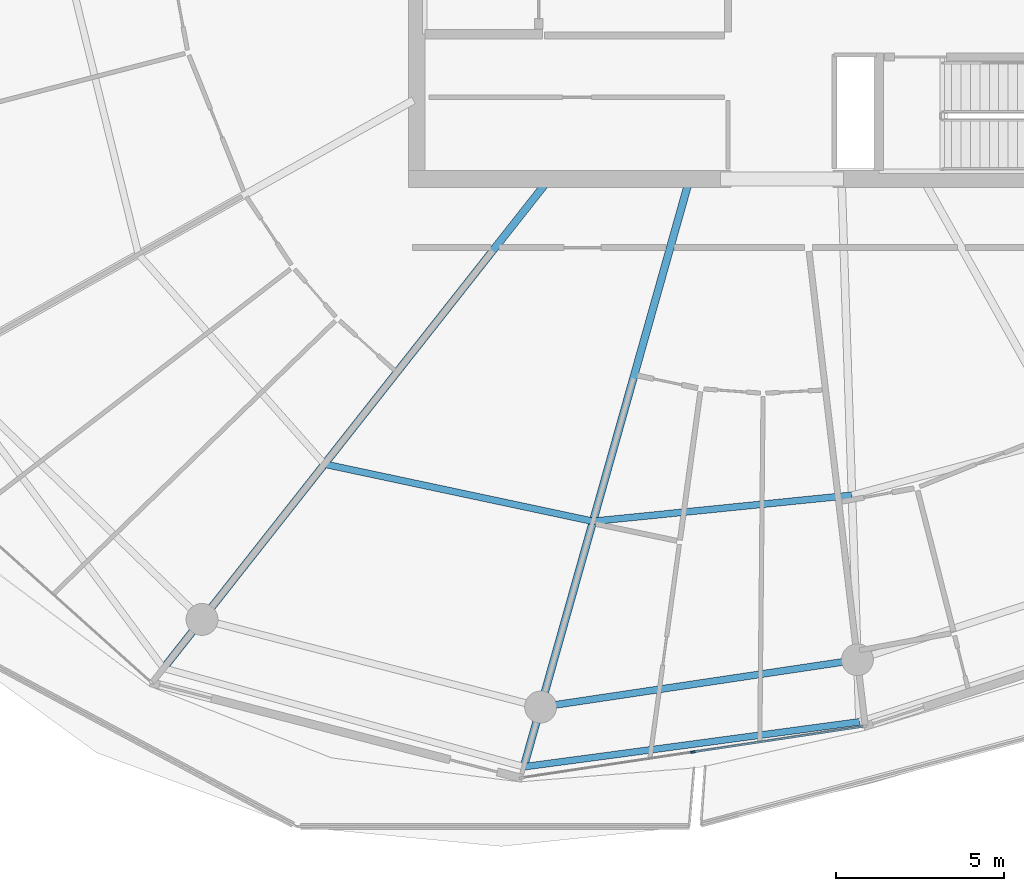
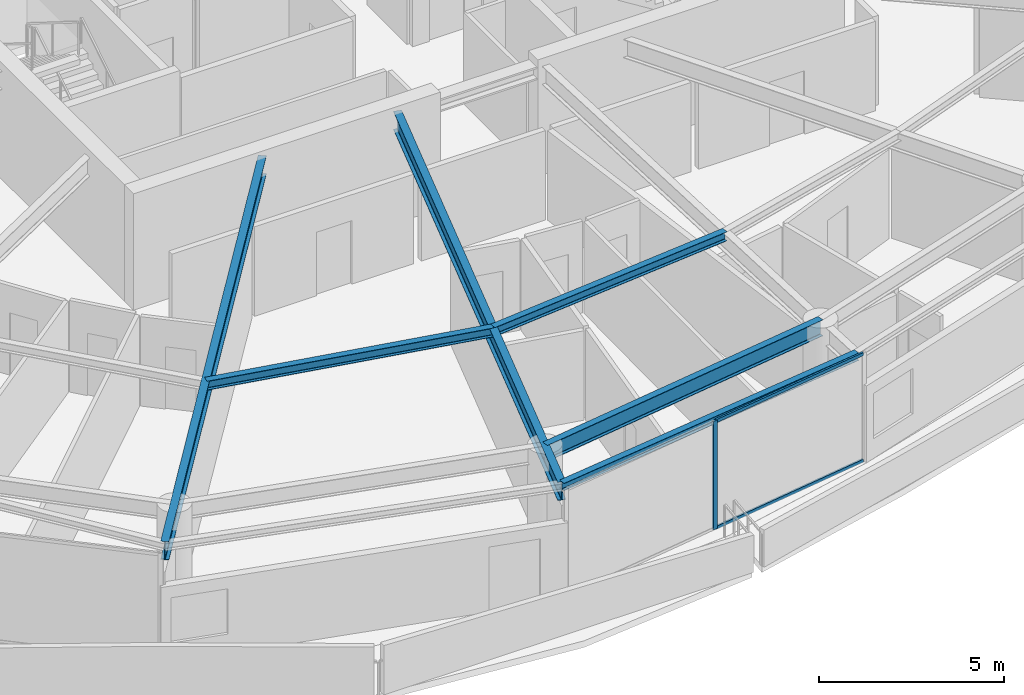
# One storey, part 7 of 30: 6 beams, 3 members, 1 element without a shape of its own.
"""IFC4 building model written with IfcOpenShell, lengths in metres."""

import ifcopenshell
import ifcopenshell.guid

model = None  # the IFC model being written
_history = None  # IfcOwnerHistory: only IFC2X3 demands one
_inside = {}  # id of a spatial element -> (the spatial element, [elements in it])
_under = {}  # id of a project, library or spatial element -> (it, [spatial elements below it])
_declared = {}  # id of a project -> (the project, [libraries it declares])
_typed = {}  # id of a type object -> (the type object, [elements of that type])
_made_of = {}  # id of a material, layer set ... -> (it, [elements and type objects made of it])


def new_model(schema):
    """Start an empty IFC model of exactly this schema.

    Asked for "IFC4X3", IfcOpenShell would pick the latest addendum, in which some entities
    have other attributes; the version numbers below select the first issue.
    IFC2X3 requires an IfcOwnerHistory on every rooted entity: one is made here for all.
    """
    global model, _history
    if schema == "IFC4X3":
        model = ifcopenshell.file(schema_version=(4, 3, 0, 0))
    else:
        model = ifcopenshell.file(schema=schema)
    _inside.clear()
    _under.clear()
    _declared.clear()
    _typed.clear()
    _made_of.clear()
    _history = None
    if model.schema == "IFC2X3":
        org = make("IfcOrganization", Name="unknown")
        user = make(
            "IfcPersonAndOrganization",
            ThePerson=make("IfcPerson", FamilyName="unknown"),
            TheOrganization=org,
        )
        app = make(
            "IfcApplication",
            ApplicationDeveloper=org,
            Version="unknown",
            ApplicationFullName="unknown",
            ApplicationIdentifier="unknown",
        )
        _history = make(
            "IfcOwnerHistory",
            OwningUser=user,
            OwningApplication=app,
            ChangeAction="ADDED",
            CreationDate=0,
        )
    return model


def make(cls, **values):
    """One entity of the class cls with the attributes given. An attribute that is None is left unset."""
    return model.create_entity(
        cls, **{name: value for name, value in values.items() if value is not None}
    )


def rooted(cls, **values):
    """An entity with a GlobalId (a new one), such as an element, a storey or a relation."""
    return make(cls, GlobalId=ifcopenshell.guid.new(), OwnerHistory=_history, **values)


def si_unit(unit_type, name, prefix=None):
    """IfcSIUnit, for example si_unit("LENGTHUNIT", "METRE", prefix="MILLI")."""
    return make("IfcSIUnit", UnitType=unit_type, Prefix=prefix, Name=name)


def assignment(units):
    """IfcUnitAssignment: the units of a project."""
    return None if units is None else make("IfcUnitAssignment", Units=units)


def point(xyz):
    """IfcCartesianPoint."""
    return None if xyz is None else make("IfcCartesianPoint", Coordinates=xyz)


def direction(xyz):
    """IfcDirection."""
    return None if xyz is None else make("IfcDirection", DirectionRatios=xyz)


def frame(location, z_axis=None, x_axis=None):
    """IfcAxis2Placement3D, a coordinate frame: its origin and axes. An axis left out is left unset."""
    return make(
        "IfcAxis2Placement3D",
        Location=point(location),
        Axis=direction(z_axis),
        RefDirection=direction(x_axis),
    )


def frame_2d(location, x_axis=None):
    """IfcAxis2Placement2D, a coordinate frame in the plane: its origin and x axis."""
    return make(
        "IfcAxis2Placement2D", Location=point(location), RefDirection=direction(x_axis)
    )


def origin():
    """The frame at (0, 0, 0) with its axes left unset."""
    return frame((0.0, 0.0, 0.0))


def origin_2d():
    """The frame at (0, 0) in the plane with its x axis left unset."""
    return frame_2d((0.0, 0.0))


def place(relative_to, where):
    """IfcLocalPlacement: puts the frame where relative to a parent placement (None: the world)."""
    return make(
        "IfcLocalPlacement", PlacementRelTo=relative_to, RelativePlacement=where
    )


def context(
    kind, dimensions, precision=None, world=None, true_north=None, identifier=None
):
    """IfcGeometricRepresentationContext, for example the 3D "Model" context."""
    return make(
        "IfcGeometricRepresentationContext",
        ContextIdentifier=identifier,
        ContextType=kind,
        CoordinateSpaceDimension=dimensions,
        Precision=precision,
        WorldCoordinateSystem=world,
        TrueNorth=true_north,
    )


def subcontext(parent, identifier, kind, view, scale=None):
    """IfcGeometricRepresentationSubContext, for example "Body" below "Model"."""
    return make(
        "IfcGeometricRepresentationSubContext",
        ContextIdentifier=identifier,
        ContextType=kind,
        ParentContext=parent,
        TargetScale=scale,
        TargetView=view,
    )


def project(units=None, contexts=None):
    """IfcProject with its units and contexts."""
    return rooted(
        "IfcProject",
        Name="project",
        RepresentationContexts=contexts,
        UnitsInContext=assignment(units),
    )


def spatial(cls, under=None, at=None, **own):
    """A site, building, storey or space (cls), placed at a placement, below another one or the project."""
    s = rooted(cls, ObjectPlacement=at, **own)
    if under is not None:
        _under.setdefault(under.id(), (under, []))[1].append(s)
    return s


def profile(cls, at=None, kind="AREA", **sizes):
    """A parametric profile (cls). Its sizes go by their IFC names, for example OverallWidth=200.0."""
    return make(cls, ProfileType=kind, Position=at, **sizes)


def rectangle(**sizes):
    """IfcRectangleProfileDef."""
    return profile("IfcRectangleProfileDef", **sizes)


def i_section(**sizes):
    """IfcIShapeProfileDef."""
    return profile("IfcIShapeProfileDef", **sizes)


def extrude(swept, where, along, depth):
    """IfcExtrudedAreaSolid: the profile swept, set in the frame where, extruded along a direction by depth."""
    return make(
        "IfcExtrudedAreaSolid",
        SweptArea=swept,
        Position=where,
        ExtrudedDirection=direction(along),
        Depth=depth,
    )


def shape(context_of_items, identifier, shape_type, items):
    """IfcShapeRepresentation: the items that make up one representation, for example the "Body"."""
    return make(
        "IfcShapeRepresentation",
        ContextOfItems=context_of_items,
        RepresentationIdentifier=identifier,
        RepresentationType=shape_type,
        Items=items,
    )


def material(Name=None, Category=None):
    """IfcMaterial."""
    return make("IfcMaterial", Name=Name, Category=Category)


def layer(
    of_material, thickness, ventilated=None, Name=None, Category=None, Priority=None
):
    """IfcMaterialLayer: one layer of a wall or slab, of a material (None: an air gap)."""
    return make(
        "IfcMaterialLayer",
        Material=of_material,
        LayerThickness=thickness,
        IsVentilated=ventilated,
        Name=Name,
        Category=Category,
        Priority=Priority,
    )


def layer_set(layers, Name=None):
    """IfcMaterialLayerSet."""
    return make("IfcMaterialLayerSet", MaterialLayers=layers, LayerSetName=Name)


def material_profile(
    of_material, cross_section, Name=None, Category=None, Priority=None
):
    """IfcMaterialProfile: a cross section and its material."""
    return make(
        "IfcMaterialProfile",
        Name=Name,
        Material=of_material,
        Profile=cross_section,
        Priority=Priority,
        Category=Category,
    )


def profile_set(profiles, Name=None, composite=None):
    """IfcMaterialProfileSet."""
    return make(
        "IfcMaterialProfileSet",
        Name=Name,
        MaterialProfiles=profiles,
        CompositeProfile=composite,
    )


def made_of(thing, what):
    """Note that an element or type object is made of a material, layer set ...; save() writes the relation."""
    if what is not None:
        _made_of.setdefault(what.id(), (what, []))[1].append(thing)
    return thing


def type_object(cls, material=None, **own):
    """A type object (cls), such as IfcWallType, which elements share."""
    return made_of(rooted(cls, **own), material)


def element(
    cls,
    number,
    at=None,
    inside=None,
    cuts=None,
    type_object=None,
    material=None,
    context=None,
    identifier="Body",
    shape_type=None,
    held_by="IfcProductDefinitionShape",
    body=None,
    shapes=None,
    **own,
):
    """One element of the class cls, such as IfcWall. Its Tag is "e" and its number.

    at: its placement. inside: the storey or other place that contains it. cuts: it is an
    opening in that element (IfcRelVoidsElement). A single representation is given by context,
    identifier, shape_type and body (its items); several are given by shapes. held_by: the class
    of the entity that holds the representations. save() writes the other relations.
    """
    e = rooted(cls, Tag="e%d" % number, ObjectPlacement=at, **own)
    if body is not None:
        shapes = [shape(context, identifier, shape_type, body)]
    if shapes is not None:
        e.Representation = make(held_by, Representations=shapes)
    if inside is not None:
        _inside.setdefault(inside.id(), (inside, []))[1].append(e)
    if cuts is not None:
        rooted(
            "IfcRelVoidsElement", RelatingBuildingElement=cuts, RelatedOpeningElement=e
        )
    if type_object is not None:
        _typed.setdefault(type_object.id(), (type_object, []))[1].append(e)
    return made_of(e, material)


def aggregate(whole, parts):
    """IfcRelAggregates: a whole, such as a stair, and the parts it consists of."""
    return rooted("IfcRelAggregates", RelatingObject=whole, RelatedObjects=parts)


def save(model, path):
    """Write the relations noted so far, then the file.

    IfcRelAggregates (storeys below a building ...), IfcRelContainedInSpatialStructure (elements
    in a storey), IfcRelDefinesByType, IfcRelAssociatesMaterial and IfcRelDeclares: one each for
    every whole, place, type object, material and project.
    """
    for whole, parts in _under.values():
        aggregate(whole, parts)
    for where, things in _inside.values():
        rooted(
            "IfcRelContainedInSpatialStructure",
            RelatedElements=things,
            RelatingStructure=where,
        )
    for kind, things in _typed.values():
        rooted("IfcRelDefinesByType", RelatedObjects=things, RelatingType=kind)
    for what, things in _made_of.values():
        rooted("IfcRelAssociatesMaterial", RelatedObjects=things, RelatingMaterial=what)
    for by, libraries in _declared.values():
        rooted("IfcRelDeclares", RelatingContext=by, RelatedDefinitions=libraries)
    model.write(path)


model = new_model("IFC4")

# Units and contexts
model_context = context("Model", 3, precision=1e-05, world=origin(), true_north=direction((0.0, 1.0)))
body_context = subcontext(model_context, "Body", "Model", "MODEL_VIEW")
ifc_project = project(units=[si_unit("LENGTHUNIT", "METRE"), si_unit("AREAUNIT", "SQUARE_METRE"), si_unit("VOLUMEUNIT", "CUBIC_METRE"), si_unit("PLANEANGLEUNIT", "RADIAN"), si_unit("MASSUNIT", "GRAM", prefix="KILO")], contexts=[model_context])

# Site, building, storey
site_placement = place(None, origin())
site = spatial("IfcSite", under=ifc_project, at=site_placement, CompositionType="ELEMENT")
building_placement = place(site_placement, origin())
building = spatial("IfcBuilding", under=site, at=building_placement, Name="Kazma Halo Residences", CompositionType="ELEMENT")
storey_placement = place(building_placement, frame((0.0, 0.0, 279.050048828125)))
storey = spatial("IfcBuildingStorey", under=building, at=storey_placement, Name="L70", CompositionType="ELEMENT", Elevation=279.050048828125)

# Beams
ifc_material_1 = material(Name="Steel S355", Category="steel")
ifc_material_profile_1 = material_profile(ifc_material_1, i_section(OverallWidth=0.201904296875, OverallDepth=0.2470703125, WebThickness=0.00732421875, FlangeThickness=0.010986328125, FilletRadius=0.011962890625, at=origin_2d()), Name="W250x49.1")
ifc_profile_set_1 = profile_set([ifc_material_profile_1], Name="Steel S355")
beam_type_1 = type_object("IfcBeamType", Name="BM-BAL-CANT", PredefinedType="BEAM", material=ifc_profile_set_1)
beam_1_placement = place(storey_placement, frame((40.73486328125, 16.239990234375, 3.466552734375), z_axis=(0.991136135569, 0.132850144029, 0.0), x_axis=(-0.132850144029, 0.991136135569, 0.0)))
element("IfcBeam", 1, at=beam_1_placement, inside=storey, type_object=beam_type_1, Name="L70 wave-balcony tie beam 11", PredefinedType="BEAM", context=body_context, shape_type="SweptSolid", body=[
    extrude(i_section(OverallWidth=0.201904296875, OverallDepth=0.2470703125, WebThickness=0.00732421875, FlangeThickness=0.010986328125, FilletRadius=0.011962890625, at=origin_2d()), origin(), (0.0, 0.0, 1.0), 10.087158203125),
])
ifc_material_profile_2 = material_profile(ifc_material_1, i_section(OverallWidth=0.22802734375, OverallDepth=0.60791015625, WebThickness=0.01123046875, FlangeThickness=0.017333984375, FilletRadius=0.01806640625, at=origin_2d()), Name="W610x113")
ifc_profile_set_2 = profile_set([ifc_material_profile_2], Name="Steel S355")
beam_type_2 = type_object("IfcBeamType", Name="BM-RAD-W610", PredefinedType="BEAM", material=ifc_profile_set_2)
beam_2_placement = place(storey_placement, frame((41.41748046875, 33.64990234375, 3.285888671875), z_axis=(-0.619094367176, -0.785316601461, 0.0), x_axis=(0.785316601461, -0.619094367176, 0.0)))
element("IfcBeam", 2, at=beam_2_placement, inside=storey, type_object=beam_type_2, Name="L70 radial floor beam 10", PredefinedType="BEAM", context=body_context, shape_type="SweptSolid", body=[
    extrude(i_section(OverallWidth=0.22802734375, OverallDepth=0.60791015625, WebThickness=0.01123046875, FlangeThickness=0.017333984375, FilletRadius=0.01806640625, at=origin_2d()), origin(), (0.0, 0.0, 1.0), 18.429931640625),
])
beam_3_placement = place(storey_placement, frame((45.64501953125, 33.64990234375, 3.285888671875), z_axis=(-0.271443175073, -0.962454467861, 0.0), x_axis=(0.962454467861, -0.271443175073, 0.0)))
element("IfcBeam", 3, at=beam_3_placement, inside=storey, type_object=beam_type_2, Name="L70 radial floor beam 11", PredefinedType="BEAM", context=body_context, shape_type="SweptSolid", body=[
    extrude(i_section(OverallWidth=0.22802734375, OverallDepth=0.60791015625, WebThickness=0.01123046875, FlangeThickness=0.017333984375, FilletRadius=0.01806640625, at=origin_2d()), origin(), (0.0, 0.0, 1.0), 18.089111328125),
])
ifc_material_profile_3 = material_profile(ifc_material_1, i_section(OverallWidth=0.202880859375, OverallDepth=0.302978515625, WebThickness=0.007568359375, FlangeThickness=0.01318359375, FilletRadius=0.013916015625, at=origin_2d()), Name="W310x60")
ifc_profile_set_3 = profile_set([ifc_material_profile_3], Name="Steel S355")
beam_type_3 = type_object("IfcBeamType", Name="BM-SEC-W310A", PredefinedType="JOIST", material=ifc_profile_set_3)
beam_4_placement = place(storey_placement, frame((34.7998046875, 25.25537109375, 3.4384765625), z_axis=(0.97806685939, -0.208291186956, 0.0), x_axis=(0.208291186956, 0.97806685939, 0.0)))
element("IfcBeam", 4, at=beam_4_placement, inside=storey, type_object=beam_type_3, Name="L70 circumferential floor joist 10", PredefinedType="JOIST", context=body_context, shape_type="SweptSolid", body=[
    extrude(i_section(OverallWidth=0.202880859375, OverallDepth=0.302978515625, WebThickness=0.007568359375, FlangeThickness=0.01318359375, FilletRadius=0.013916015625, at=origin_2d()), origin(), (0.0, 0.0, 1.0), 8.1767578125),
])
beam_5_placement = place(storey_placement, frame((42.797119140625, 23.55224609375, 3.4384765625), z_axis=(0.994958290831, 0.100289578258, 0.0), x_axis=(-0.100289578258, 0.994958290831, 0.0)))
element("IfcBeam", 5, at=beam_5_placement, inside=storey, type_object=beam_type_3, Name="L70 circumferential floor joist 11", PredefinedType="JOIST", context=body_context, shape_type="SweptSolid", body=[
    extrude(i_section(OverallWidth=0.202880859375, OverallDepth=0.302978515625, WebThickness=0.007568359375, FlangeThickness=0.01318359375, FilletRadius=0.013916015625, at=origin_2d()), origin(), (0.0, 0.0, 1.0), 7.7509765625),
])
ifc_material_profile_4 = material_profile(ifc_material_1, i_section(OverallWidth=0.208984375, OverallDepth=0.532958984375, WebThickness=0.01025390625, FlangeThickness=0.015625, FilletRadius=0.01611328125, at=origin_2d()), Name="W530x92")
ifc_profile_set_4 = profile_set([ifc_material_profile_4], Name="Steel S355")
beam_type_4 = type_object("IfcBeamType", Name="BM-SPN-W530", PredefinedType="BEAM", material=ifc_profile_set_4)
beam_6_placement = place(storey_placement, frame((41.237060546875, 18.0205078125, 3.323486328125), z_axis=(0.989035441627, 0.147678350495, 0.0), x_axis=(-0.147678350495, 0.989035441627, 0.0)))
element("IfcBeam", 6, at=beam_6_placement, inside=storey, type_object=beam_type_4, Name="L70 perimeter ring beam 11", PredefinedType="BEAM", context=body_context, shape_type="SweptSolid", body=[
    extrude(i_section(OverallWidth=0.208984375, OverallDepth=0.532958984375, WebThickness=0.01025390625, FlangeThickness=0.015625, FilletRadius=0.01611328125, at=origin_2d()), origin(), (0.0, 0.0, 1.0), 9.538818359375),
])

# Curtain wall, members
ifc_material_2 = material(Name="Aluminium AW-6063 T6 and Triple-Silver Low-E Glass", Category="aluminium")
ifc_layer = layer(ifc_material_2, 0.139892578125)
ifc_layer_set = layer_set([ifc_layer], Name="Aluminium AW-6063 T6 and Triple-Silver Low-E Glass")
curtain_wall_type = type_object("IfcCurtainWallType", Name="CW-SYS-5", PredefinedType="NOTDEFINED", material=ifc_layer_set)
curtain_wall_placement = place(storey_placement, origin())
curtain_wall = element("IfcCurtainWall", 7, at=curtain_wall_placement, inside=storey, type_object=curtain_wall_type, Name="L70 unitised curtain wall B11", PredefinedType="NOTDEFINED")
ifc_material_3 = material(Name="Aluminium AW-6063 T6", Category="aluminium")
ifc_material_profile_5 = material_profile(ifc_material_3, rectangle(XDim=0.06005859375, YDim=0.139892578125, at=origin_2d()), Name="CWM-60x140")
ifc_profile_set_5 = profile_set([ifc_material_profile_5], Name="Aluminium AW-6063 T6")
member_type_1 = type_object("IfcMemberType", Name="CW-SYS-5-MUL", PredefinedType="MULLION", material=ifc_profile_set_5)
member_1_placement = place(storey_placement, frame((45.7734375, 16.679931640625, 0.0), z_axis=(0.0, 0.0, 1.0), x_axis=(-0.148697080374, 0.988882792998, 0.0)))
member_1 = element("IfcMember", 8, at=member_1_placement, type_object=member_type_1, Name="CWS-5 mullion 2", PredefinedType="MULLION", context=body_context, shape_type="SweptSolid", body=[
    extrude(rectangle(XDim=0.06005859375, YDim=0.139892578125, at=origin_2d()), origin(), (0.0, 0.0, 1.0), 3.58984375),
])
ifc_material_profile_6 = material_profile(ifc_material_3, rectangle(XDim=0.06005859375, YDim=0.10498046875, at=origin_2d()), Name="CWT-60x105")
ifc_profile_set_6 = profile_set([ifc_material_profile_6], Name="Aluminium AW-6063 T6")
member_type_2 = type_object("IfcMemberType", Name="CW-SYS-5-TRN", PredefinedType="USERDEFINED", material=ifc_profile_set_6)
member_2_placement = place(storey_placement, frame((45.80322265625, 16.6845703125, 0.030029296875), z_axis=(0.988882913569, 0.148696278541, 0.0), x_axis=(-0.148696278541, 0.988882913569, 0.0)))
member_2 = element("IfcMember", 9, at=member_2_placement, type_object=member_type_2, Name="CWS-5 transom 2.1", ObjectType="TRANSOM", PredefinedType="USERDEFINED", context=body_context, shape_type="SweptSolid", body=[
    extrude(rectangle(XDim=0.06005859375, YDim=0.10498046875, at=origin_2d()), origin(), (0.0, 0.0, 1.0), 5.099609375),
])
member_3_placement = place(storey_placement, frame((45.80322265625, 16.6845703125, 3.56005859375), z_axis=(0.988882913569, 0.148696278541, 0.0), x_axis=(-0.148696278541, 0.988882913569, 0.0)))
member_3 = element("IfcMember", 10, at=member_3_placement, type_object=member_type_2, Name="CWS-5 transom 2.2", ObjectType="TRANSOM", PredefinedType="USERDEFINED", context=body_context, shape_type="SweptSolid", body=[
    extrude(rectangle(XDim=0.06005859375, YDim=0.10498046875, at=origin_2d()), origin(), (0.0, 0.0, 1.0), 5.099609375),
])
aggregate(curtain_wall, [member_1, member_2, member_3])

save(model, "model.ifc")
